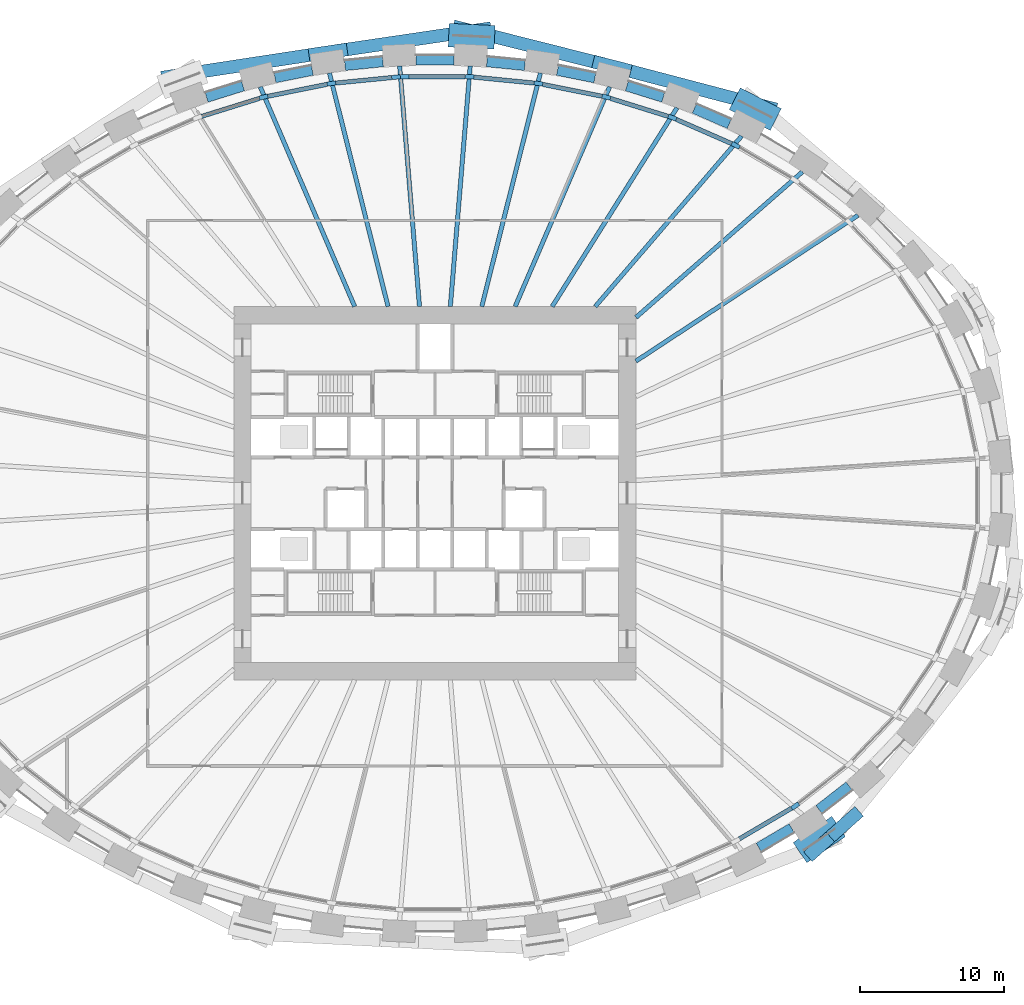
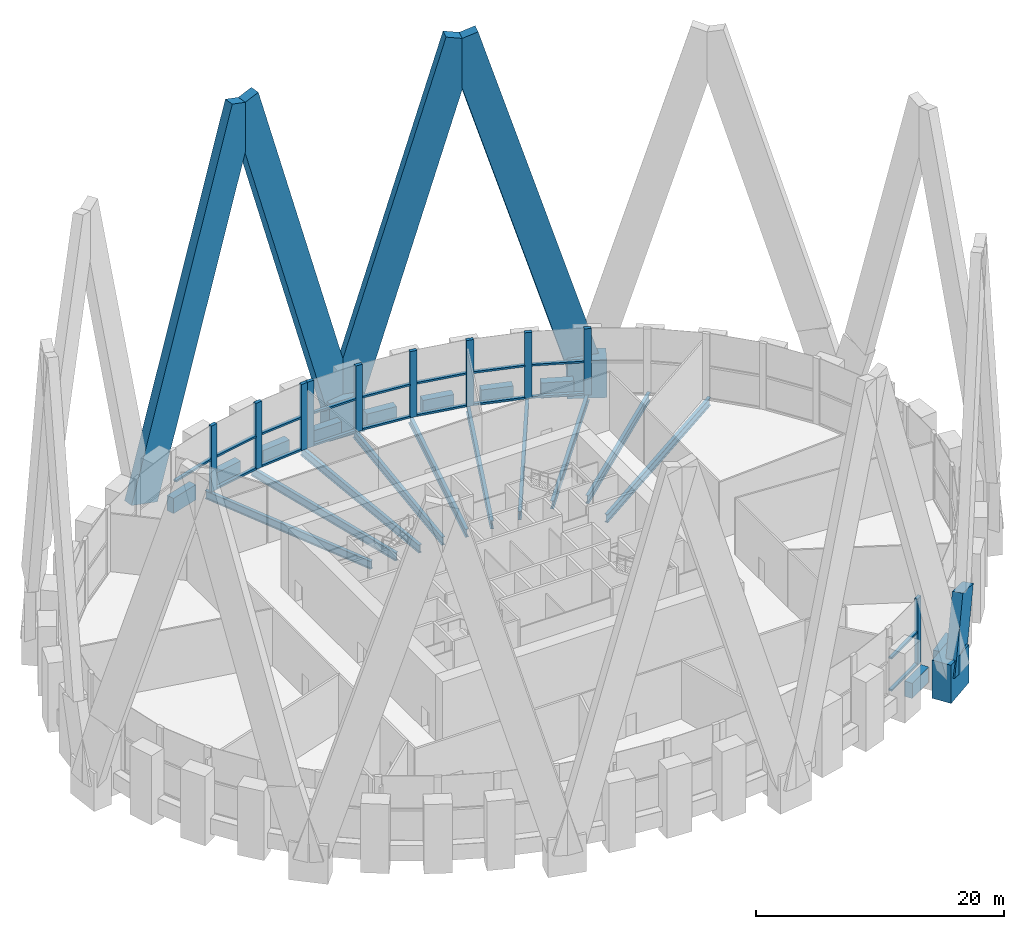
# One storey, part 4 of 17: 35 members, 20 beams, 3 elements without a shape of their own.
"""IFC4 building model written with IfcOpenShell, lengths in metres."""

from ifc_helpers import new_model, si_unit, direction, frame, origin, origin_2d, place, context, subcontext, project, spatial, rectangle, i_section, extrude, source, transform, mapped, material, material_profile, profile_set, type_object, element, aggregate, save


model = new_model("IFC4")

# Units and contexts
model_context = context("Model", 3, precision=1e-05, world=origin(), true_north=direction((0.0, 1.0)))
body_context = subcontext(model_context, "Body", "Model", "MODEL_VIEW")
ifc_project = project(units=[si_unit("LENGTHUNIT", "METRE"), si_unit("AREAUNIT", "SQUARE_METRE"), si_unit("VOLUMEUNIT", "CUBIC_METRE"), si_unit("PLANEANGLEUNIT", "RADIAN"), si_unit("MASSUNIT", "GRAM", prefix="KILO")], contexts=[model_context])

# Site, building, storey
site_placement = place(None, origin())
site = spatial("IfcSite", under=ifc_project, at=site_placement, CompositionType="ELEMENT")
building_placement = place(site_placement, origin())
building = spatial("IfcBuilding", under=site, at=building_placement, Name="Embergate Tower", CompositionType="ELEMENT")
storey_placement = place(building_placement, frame((0.0, 0.0, 125.0)))
storey = spatial("IfcBuildingStorey", under=building, at=storey_placement, Name="L27", CompositionType="ELEMENT", Elevation=125.0)

# Beams
ifc_material_1 = material(Name="Concrete C70", Category="concrete")
ifc_material_profile_1 = material_profile(ifc_material_1, rectangle(XDim=0.699951171875, YDim=1.5, at=origin_2d()), Name="RC 700x1500")
ifc_profile_set_1 = profile_set([ifc_material_profile_1], Name="Concrete C70")
beam_type_1 = type_object("IfcBeamType", Name="Spandrel beam RC 700x1500 C70", PredefinedType="BEAM", material=ifc_profile_set_1)
shared_shape_1 = source(origin(), body_context, "Body", "SweptSolid", [
    extrude(rectangle(XDim=0.699951171875, YDim=1.5, at=origin_2d()), origin(), (0.0, 0.0, 1.0), 2.666015625),
])
beam_1_placement = place(storey_placement, frame((26.741943359375, -22.028076171875, 0.0), z_axis=(0.788088232686, 0.615562293762, 0.0), x_axis=(-0.615562293762, 0.788088232686, 0.0)))
element("IfcBeam", 1, at=beam_1_placement, inside=storey, type_object=beam_type_1, Name="SPN-L27-38", PredefinedType="BEAM", context=body_context, shape_type="MappedRepresentation", body=[
    mapped(shared_shape_1, transform((0.0, 0.0, 0.0))),
])
shared_shape_2 = source(origin(), body_context, "Body", "SweptSolid", [
    extrude(rectangle(XDim=0.699951171875, YDim=1.5, at=origin_2d()), origin(), (0.0, 0.0, 1.0), 2.661376953125),
])
beam_2_placement = place(storey_placement, frame((22.5458984375, -24.669921875, 0.0), z_axis=(0.862040317261, 0.506839709787, 0.0), x_axis=(-0.506839709787, 0.862040317261, 0.0)))
element("IfcBeam", 2, at=beam_2_placement, inside=storey, type_object=beam_type_1, Name="SPN-L27-37", PredefinedType="BEAM", context=body_context, shape_type="MappedRepresentation", body=[
    mapped(shared_shape_2, transform((0.0, 0.0, 0.0))),
])
shared_shape_3 = source(origin(), body_context, "Body", "SweptSolid", [
    extrude(rectangle(XDim=0.699951171875, YDim=1.5, at=origin_2d()), origin(), (0.0, 0.0, 1.0), 2.658203125),
])
beam_3_placement = place(storey_placement, frame((20.4970703125, 25.716064453125, 0.0), z_axis=(-0.916405886448, 0.400250235833, 0.0), x_axis=(-0.400250235833, -0.916405886448, 0.0)))
element("IfcBeam", 3, at=beam_3_placement, inside=storey, type_object=beam_type_1, Name="SPN-L27-06", PredefinedType="BEAM", context=body_context, shape_type="MappedRepresentation", body=[
    mapped(shared_shape_3, transform((0.0, 0.0, 0.0))),
])
shared_shape_4 = source(origin(), body_context, "Body", "SweptSolid", [
    extrude(rectangle(XDim=0.699951171875, YDim=1.5, at=origin_2d()), origin(), (0.0, 0.0, 1.0), 2.654296875),
])
for number, where, z_axis, x_axis, name in (
    (4, (15.89892578125, 27.56494140625, 0.0), (-0.954674539356, 0.297651682181, 0.0), (-0.297651682181, -0.954674539356, 0.0), "SPN-L27-07"),
    (5, (-13.364990234375, 28.35498046875, 0.0), (-0.954674539356, -0.297651682181, 0.0), (0.297651682181, -0.954674539356, 0.0), "SPN-L27-13"),
):
    element("IfcBeam", number, at=place(storey_placement, frame(where, z_axis=z_axis, x_axis=x_axis)), inside=storey, type_object=beam_type_1, Name=name, PredefinedType="BEAM", context=body_context, shape_type="MappedRepresentation", body=[
        mapped(shared_shape_4, transform((0.0, 0.0, 0.0))),
    ])
shared_shape_5 = source(origin(), body_context, "Body", "SweptSolid", [
    extrude(rectangle(XDim=0.699951171875, YDim=1.5, at=origin_2d()), origin(), (0.0, 0.0, 1.0), 2.65185546875),
])
for number, where, z_axis, x_axis, name in (
    (6, (11.135986328125, 28.923095703125, 0.0), (-0.980438789246, 0.196824237691, 0.0), (-0.196824237691, -0.980438789246, 0.0), "SPN-L27-08"),
    (7, (-8.535888671875, 29.445068359375, 0.0), (-0.980438789246, -0.196824237691, 0.0), (0.196824237691, -0.980438789246, 0.0), "SPN-L27-12"),
):
    element("IfcBeam", number, at=place(storey_placement, frame(where, z_axis=z_axis, x_axis=x_axis)), inside=storey, type_object=beam_type_1, Name=name, PredefinedType="BEAM", context=body_context, shape_type="MappedRepresentation", body=[
        mapped(shared_shape_5, transform((0.0, 0.0, 0.0))),
    ])
shared_shape_6 = source(origin(), body_context, "Body", "SweptSolid", [
    extrude(rectangle(XDim=0.699951171875, YDim=1.5, at=origin_2d()), origin(), (0.0, 0.0, 1.0), 2.651611328125),
])
for number, where, z_axis, x_axis, name in (
    (8, (6.260986328125, 29.783935546875, 0.0), (-0.99521694764, 0.097689442265, 0.0), (-0.097689442265, -0.99521694764, 0.0), "SPN-L27-09"),
    (9, (-3.6220703125, 30.04296875, 0.0), (-0.99521694764, -0.097689442265, 0.0), (0.097689442265, -0.99521694764, 0.0), "SPN-L27-11"),
):
    element("IfcBeam", number, at=place(storey_placement, frame(where, z_axis=z_axis, x_axis=x_axis)), inside=storey, type_object=beam_type_1, Name=name, PredefinedType="BEAM", context=body_context, shape_type="MappedRepresentation", body=[
        mapped(shared_shape_6, transform((0.0, 0.0, 0.0))),
    ])
shared_shape_7 = source(origin(), body_context, "Body", "SweptSolid", [
    extrude(rectangle(XDim=0.699951171875, YDim=1.5, at=origin_2d()), origin(), (0.0, 0.0, 1.0), 2.64990234375),
])
beam_4_placement = place(storey_placement, frame((1.324951171875, 30.156005859375, 0.0), z_axis=(-1.0, 0.0, 0.0), x_axis=(0.0, -1.0, 0.0)))
element("IfcBeam", 10, at=beam_4_placement, inside=storey, type_object=beam_type_1, Name="SPN-L27-10", PredefinedType="BEAM", context=body_context, shape_type="MappedRepresentation", body=[
    mapped(shared_shape_7, transform((0.0, 0.0, 0.0))),
])
ifc_material_2 = material(Name="Steel Q355B", Category="steel")
ifc_material_profile_2 = material_profile(ifc_material_2, i_section(OverallWidth=0.300048828125, OverallDepth=0.800048828125, WebThickness=0.013916015625, FlangeThickness=0.02587890625, FilletRadius=0.028076171875, at=origin_2d()), Name="HN 800x300x14x26")
ifc_profile_set_2 = profile_set([ifc_material_profile_2], Name="Steel Q355 grade B")
beam_type_2 = type_object("IfcBeamType", Name="Radial girder HN 800x300x14x26", PredefinedType="BEAM", material=ifc_profile_set_2)
shared_shape_8 = source(origin(), body_context, "Body", "SweptSolid", [
    extrude(i_section(OverallWidth=0.300048828125, OverallDepth=0.800048828125, WebThickness=0.013916015625, FlangeThickness=0.02587890625, FilletRadius=0.028076171875, at=origin_2d()), origin(), (0.0, 0.0, 1.0), 18.501953125),
])
beam_5_placement = place(storey_placement, frame((29.462890625, 19.35791015625, -0.699951171875), z_axis=(-0.835740602897, -0.549124434596, 0.0), x_axis=(0.549124434596, -0.835740602897, 0.0)))
element("IfcBeam", 11, at=beam_5_placement, inside=storey, type_object=beam_type_2, Name="GIR-L27-04", PredefinedType="BEAM", context=body_context, shape_type="MappedRepresentation", body=[
    mapped(shared_shape_8, transform((0.0, 0.0, 0.0))),
])
shared_shape_9 = source(origin(), body_context, "Body", "SweptSolid", [
    extrude(i_section(OverallWidth=0.300048828125, OverallDepth=0.800048828125, WebThickness=0.013916015625, FlangeThickness=0.02587890625, FilletRadius=0.028076171875, at=origin_2d()), origin(), (0.0, 0.0, 1.0), 15.399169921875),
])
beam_6_placement = place(storey_placement, frame((25.592041015625, 22.3798828125, -0.699951171875), z_axis=(-0.752772102856, -0.658281217385, 0.0), x_axis=(0.658281217385, -0.752772102856, 0.0)))
element("IfcBeam", 12, at=beam_6_placement, inside=storey, type_object=beam_type_2, Name="GIR-L27-05", PredefinedType="BEAM", context=body_context, shape_type="MappedRepresentation", body=[
    mapped(shared_shape_9, transform((0.0, 0.0, 0.0))),
])
shared_shape_10 = source(origin(), body_context, "Body", "SweptSolid", [
    extrude(i_section(OverallWidth=0.300048828125, OverallDepth=0.800048828125, WebThickness=0.013916015625, FlangeThickness=0.02587890625, FilletRadius=0.028076171875, at=origin_2d()), origin(), (0.0, 0.0, 1.0), 15.64599609375),
])
beam_7_placement = place(storey_placement, frame((21.35693359375, 24.8701171875, -0.699951171875), z_axis=(-0.651472185751, -0.758672519071, 0.0), x_axis=(0.758672519071, -0.651472185751, 0.0)))
element("IfcBeam", 13, at=beam_7_placement, inside=storey, type_object=beam_type_2, Name="GIR-L27-06", PredefinedType="BEAM", context=body_context, shape_type="MappedRepresentation", body=[
    mapped(shared_shape_10, transform((0.0, 0.0, 0.0))),
])
shared_shape_11 = source(origin(), body_context, "Body", "SweptSolid", [
    extrude(i_section(OverallWidth=0.300048828125, OverallDepth=0.800048828125, WebThickness=0.013916015625, FlangeThickness=0.02587890625, FilletRadius=0.028076171875, at=origin_2d()), origin(), (0.0, 0.0, 1.0), 16.3408203125),
])
beam_8_placement = place(storey_placement, frame((16.85595703125, 26.837890625, -0.699951171875), z_axis=(-0.531856347721, -0.846834591517, 0.0), x_axis=(0.846834591517, -0.531856347721, 0.0)))
element("IfcBeam", 14, at=beam_8_placement, inside=storey, type_object=beam_type_2, Name="GIR-L27-07", PredefinedType="BEAM", context=body_context, shape_type="MappedRepresentation", body=[
    mapped(shared_shape_11, transform((0.0, 0.0, 0.0))),
])
shared_shape_12 = source(origin(), body_context, "Body", "SweptSolid", [
    extrude(i_section(OverallWidth=0.300048828125, OverallDepth=0.800048828125, WebThickness=0.013916015625, FlangeThickness=0.02587890625, FilletRadius=0.028076171875, at=origin_2d()), origin(), (0.0, 0.0, 1.0), 16.652587890625),
])
for number, where, z_axis, x_axis, name in (
    (15, (12.1640625, 28.299072265625, -0.699951171875), (-0.394904635078, -0.918722117506, 0.0), (0.918722117506, -0.394904635078, 0.0), "GIR-L27-08"),
    (16, (-12.1640625, 28.299072265625, -0.699951171875), (0.394904635078, -0.918722117506, 0.0), (0.918722117506, 0.394904635078, 0.0), "GIR-L27-13"),
):
    element("IfcBeam", number, at=place(storey_placement, frame(where, z_axis=z_axis, x_axis=x_axis)), inside=storey, type_object=beam_type_2, Name=name, PredefinedType="BEAM", context=body_context, shape_type="MappedRepresentation", body=[
        mapped(shared_shape_12, transform((0.0, 0.0, 0.0))),
    ])
shared_shape_13 = source(origin(), body_context, "Body", "SweptSolid", [
    extrude(i_section(OverallWidth=0.300048828125, OverallDepth=0.800048828125, WebThickness=0.013916015625, FlangeThickness=0.02587890625, FilletRadius=0.028076171875, at=origin_2d()), origin(), (0.0, 0.0, 1.0), 16.76953125),
])
for number, where, z_axis, x_axis, name in (
    (17, (7.346923828125, 29.264892578125, -0.699951171875), (-0.243477535857, -0.969906536494, 0.0), (0.969906536494, -0.243477535857, 0.0), "GIR-L27-09"),
    (18, (-7.346923828125, 29.264892578125, -0.699951171875), (0.243477535857, -0.969906536494, 0.0), (0.969906536494, 0.243477535857, 0.0), "GIR-L27-12"),
):
    element("IfcBeam", number, at=place(storey_placement, frame(where, z_axis=z_axis, x_axis=x_axis)), inside=storey, type_object=beam_type_2, Name=name, PredefinedType="BEAM", context=body_context, shape_type="MappedRepresentation", body=[
        mapped(shared_shape_13, transform((0.0, 0.0, 0.0))),
    ])
shared_shape_14 = source(origin(), body_context, "Body", "SweptSolid", [
    extrude(i_section(OverallWidth=0.300048828125, OverallDepth=0.800048828125, WebThickness=0.013916015625, FlangeThickness=0.02587890625, FilletRadius=0.028076171875, at=origin_2d()), origin(), (0.0, 0.0, 1.0), 16.802978515625),
])
for number, where, z_axis, x_axis, name in (
    (19, (2.4560546875, 29.74609375, -0.699951171875), (-0.082251838935, -0.99661157679, 0.0), (0.99661157679, -0.082251838935, 0.0), "GIR-L27-10"),
    (20, (-2.4560546875, 29.74609375, -0.699951171875), (0.082251838935, -0.99661157679, 0.0), (0.99661157679, 0.082251838935, 0.0), "GIR-L27-11"),
):
    element("IfcBeam", number, at=place(storey_placement, frame(where, z_axis=z_axis, x_axis=x_axis)), inside=storey, type_object=beam_type_2, Name=name, PredefinedType="BEAM", context=body_context, shape_type="MappedRepresentation", body=[
        mapped(shared_shape_14, transform((0.0, 0.0, 0.0))),
    ])

# Members
ifc_material_profile_3 = material_profile(ifc_material_1, rectangle(XDim=1.699951171875, YDim=3.199951171875, at=origin_2d()), Name="RC 1700x3200")
ifc_profile_set_3 = profile_set([ifc_material_profile_3], Name="Concrete C70")
member_type_1 = type_object("IfcMemberType", Name="Lattice node block RC 1700x3200", PredefinedType="POST", material=ifc_profile_set_3)
shared_shape_15 = source(origin(), body_context, "Body", "SweptSolid", [
    extrude(rectangle(XDim=1.699951171875, YDim=3.199951171875, at=origin_2d()), origin(), (0.0, 0.0, 1.0), 3.7001953125),
])
member_1_placement = place(storey_placement, frame((22.30810546875, 26.741943359375, -1.85009765625), z_axis=(0.0, 0.0, 1.0), x_axis=(0.452994952881, 0.891513080478, 0.0)))
element("IfcMember", 21, at=member_1_placement, inside=storey, type_object=member_type_1, Name="NOD-L27-06", PredefinedType="POST", context=body_context, shape_type="MappedRepresentation", body=[
    mapped(shared_shape_15, transform((0.0, 0.0, 0.0))),
])
ifc_material_profile_4 = material_profile(ifc_material_1, rectangle(XDim=1.64990234375, YDim=3.199951171875, at=origin_2d()), Name="RC 1650x3200")
ifc_profile_set_4 = profile_set([ifc_material_profile_4], Name="Concrete C70")
member_type_2 = type_object("IfcMemberType", Name="Lattice node block RC 1650x3200", PredefinedType="POST", material=ifc_profile_set_4)
shared_shape_16 = source(origin(), body_context, "Body", "SweptSolid", [
    extrude(rectangle(XDim=1.64990234375, YDim=3.199951171875, at=origin_2d()), origin(), (0.0, 0.0, 1.0), 3.7001953125),
])
member_2_placement = place(storey_placement, frame((2.55810546875, 31.819091796875, -1.85009765625), z_axis=(0.0, 0.0, 1.0), x_axis=(0.048814904854, 0.998807841912, 0.0)))
element("IfcMember", 22, at=member_2_placement, inside=storey, type_object=member_type_2, Name="NOD-L27-10", PredefinedType="POST", context=body_context, shape_type="MappedRepresentation", body=[
    mapped(shared_shape_16, transform((0.0, 0.0, 0.0))),
])
ifc_material_profile_5 = material_profile(ifc_material_1, rectangle(XDim=1.699951171875, YDim=3.25, at=origin_2d()), Name="RC 1700x3250")
ifc_profile_set_5 = profile_set([ifc_material_profile_5], Name="Concrete C70")
member_type_3 = type_object("IfcMemberType", Name="Lattice node block RC 1700x3250", PredefinedType="POST", material=ifc_profile_set_5)
shared_shape_17 = source(origin(), body_context, "Body", "SweptSolid", [
    extrude(rectangle(XDim=1.699951171875, YDim=3.25, at=origin_2d()), origin(), (0.0, 0.0, 1.0), 3.75),
])
member_3_placement = place(storey_placement, frame((26.76806640625, -24.118896484375, -1.875), z_axis=(0.0, 0.0, 1.0), x_axis=(0.560393279442, -0.828226643109, 0.0)))
element("IfcMember", 23, at=member_3_placement, inside=storey, type_object=member_type_3, Name="NOD-L27-38", PredefinedType="POST", context=body_context, shape_type="MappedRepresentation", body=[
    mapped(shared_shape_17, transform((0.0, 0.0, 0.0))),
])
ifc_material_profile_6 = material_profile(ifc_material_1, rectangle(XDim=0.89990234375, YDim=2.800048828125, at=origin_2d()), Name="RC 900x2800")
ifc_profile_set_6 = profile_set([ifc_material_profile_6], Name="Concrete C70")
member_type_4 = type_object("IfcMemberType", Name="Lattice diagonal terracotta-faced RC 900x2800", PredefinedType="BRACE", material=ifc_profile_set_6)
shared_shape_18 = source(origin(), body_context, "Body", "SweptSolid", [
    extrude(rectangle(XDim=0.89990234375, YDim=2.800048828125, at=origin_2d()), origin(), (0.0, 0.0, 1.0), 36.441650390625),
])
member_4_placement = place(storey_placement, frame((22.472900390625, 27.06591796875, 0.0), z_axis=(-0.278358040564, 0.073051483172, 0.957695297086), x_axis=(-0.253841230496, -0.967245899293, 0.0)))
element("IfcMember", 24, at=member_4_placement, inside=storey, type_object=member_type_4, Name="BRC-L27-06-08-S00", PredefinedType="BRACE", context=body_context, shape_type="MappedRepresentation", body=[
    mapped(shared_shape_18, transform((0.0, 0.0, 0.0))),
])
shared_shape_19 = source(origin(), body_context, "Body", "SweptSolid", [
    extrude(rectangle(XDim=0.89990234375, YDim=2.800048828125, at=origin_2d()), origin(), (0.0, 0.0, 1.0), 36.320556640625),
])
member_5_placement = place(storey_placement, frame((2.575927734375, 32.18798828125, 0.0), z_axis=(0.268530797394, -0.067729262673, 0.960887068197), x_axis=(0.244562503329, 0.969633529724, 0.0)))
element("IfcMember", 25, at=member_5_placement, inside=storey, type_object=member_type_4, Name="BRC-L27-10-08-S00", PredefinedType="BRACE", context=body_context, shape_type="MappedRepresentation", body=[
    mapped(shared_shape_19, transform((0.0, 0.0, 0.0))),
])
shared_shape_20 = source(origin(), body_context, "Body", "SweptSolid", [
    extrude(rectangle(XDim=0.89990234375, YDim=2.800048828125, at=origin_2d()), origin(), (0.0, 0.0, 1.0), 36.339111328125),
])
member_6_placement = place(storey_placement, frame((2.575927734375, 32.18798828125, 0.0), z_axis=(-0.275649195349, -0.040726935148, 0.960395146727), x_axis=(0.146162416771, -0.989260606677, 0.0)))
element("IfcMember", 26, at=member_6_placement, inside=storey, type_object=member_type_4, Name="BRC-L27-10-12-S00", PredefinedType="BRACE", context=body_context, shape_type="MappedRepresentation", body=[
    mapped(shared_shape_20, transform((0.0, 0.0, 0.0))),
])
shared_shape_21 = source(origin(), body_context, "Body", "SweptSolid", [
    extrude(rectangle(XDim=0.89990234375, YDim=2.800048828125, at=origin_2d()), origin(), (0.0, 0.0, 1.0), 36.413330078125),
])
member_7_placement = place(storey_placement, frame((-17.7109375, 29.139892578125, 0.0), z_axis=(0.282039590361, 0.043064239264, 0.958435778112), x_axis=(-0.150939283876, 0.988543035271, 0.0)))
element("IfcMember", 27, at=member_7_placement, inside=storey, type_object=member_type_4, Name="BRC-L27-14-12-S00", PredefinedType="BRACE", context=body_context, shape_type="MappedRepresentation", body=[
    mapped(shared_shape_21, transform((0.0, 0.0, 0.0))),
])
shared_shape_22 = source(origin(), body_context, "Body", "SweptSolid", [
    extrude(rectangle(XDim=0.89990234375, YDim=2.800048828125, at=origin_2d()), origin(), (0.0, 0.0, 1.0), 7.30419921875),
])
member_8_placement = place(storey_placement, frame((26.97705078125, -24.427978515625, 0.0), z_axis=(0.213715386558, 0.189482722302, 0.958343378699), x_axis=(-0.663411770358, 0.748254517494, 0.0)))
element("IfcMember", 28, at=member_8_placement, inside=storey, type_object=member_type_4, Name="BRC-L27-38-40-S00", PredefinedType="BRACE", context=body_context, shape_type="MappedRepresentation", body=[
    mapped(shared_shape_22, transform((0.0, 0.0, 0.0))),
])

# Curtain wall, members
ifc_material_3 = material(Name="Aluminium and glass", Category="aluminium")
curtain_wall_type = type_object("IfcCurtainWallType", Name="Sky lobby high glazing", PredefinedType="NOTDEFINED", material=ifc_material_3)
curtain_wall_1_placement = place(storey_placement, origin())
curtain_wall_1 = element("IfcCurtainWall", 29, at=curtain_wall_1_placement, inside=storey, type_object=curtain_wall_type, Name="Sky lobby high glazing run 1", ObjectType="SKY LOBBY HIGH GLAZING", PredefinedType="USERDEFINED")
ifc_material_4 = material(Name="Aluminium, thermally broken", Category="aluminium")
ifc_material_profile_7 = material_profile(ifc_material_4, rectangle(XDim=0.300048828125, YDim=0.60009765625, at=origin_2d()), Name="AL 600x300")
ifc_profile_set_7 = profile_set([ifc_material_profile_7], Name="Aluminium, thermally broken")
member_type_5 = type_object("IfcMemberType", Name="Sky lobby mullion", PredefinedType="MULLION", material=ifc_profile_set_7)
shared_shape_23 = source(origin(), body_context, "Body", "SweptSolid", [
    extrude(rectangle(XDim=0.300048828125, YDim=0.60009765625, at=origin_2d()), origin(), (0.0, 0.0, 1.0), 6.5),
])
member_9_placement = place(storey_placement, frame((20.9423828125, 24.223388671875, 0.0), z_axis=(0.0, 0.0, 1.0), x_axis=(-0.45450516197, -0.8907441034, 0.0)))
member_9 = element("IfcMember", 30, at=member_9_placement, type_object=member_type_5, Name="CW mullion 7", PredefinedType="MULLION", context=body_context, shape_type="MappedRepresentation", body=[
    mapped(shared_shape_23, transform((0.0, 0.0, 0.0))),
])
member_10_placement = place(storey_placement, frame((16.532470703125, 26.151611328125, 0.0), z_axis=(0.0, 0.0, 1.0), x_axis=(-0.349497777064, -0.936937193107, 0.0)))
member_10 = element("IfcMember", 31, at=member_10_placement, type_object=member_type_5, Name="CW mullion 8", PredefinedType="MULLION", context=body_context, shape_type="MappedRepresentation", body=[
    mapped(shared_shape_23, transform((0.0, 0.0, 0.0))),
])
member_11_placement = place(storey_placement, frame((11.93359375, 27.583984375, 0.0), z_axis=(0.0, 0.0, 1.0), x_axis=(-0.247308499144, -0.96893679167, 0.0)))
member_11 = element("IfcMember", 32, at=member_11_placement, type_object=member_type_5, Name="CW mullion 9", PredefinedType="MULLION", context=body_context, shape_type="MappedRepresentation", body=[
    mapped(shared_shape_23, transform((0.0, 0.0, 0.0))),
])
member_12_placement = place(storey_placement, frame((7.208251953125, 28.531494140625, 0.0), z_axis=(0.0, 0.0, 1.0), x_axis=(-0.147408930294, -0.989075632735, 0.0)))
member_12 = element("IfcMember", 33, at=member_12_placement, type_object=member_type_5, Name="CW mullion 10", PredefinedType="MULLION", context=body_context, shape_type="MappedRepresentation", body=[
    mapped(shared_shape_23, transform((0.0, 0.0, 0.0))),
])
member_13_placement = place(storey_placement, frame((2.41064453125, 29.003173828125, 0.0), z_axis=(0.0, 0.0, 1.0), x_axis=(-0.048970053385, -0.998800247232, 0.0)))
member_13 = element("IfcMember", 34, at=member_13_placement, type_object=member_type_5, Name="CW mullion 11", PredefinedType="MULLION", context=body_context, shape_type="MappedRepresentation", body=[
    mapped(shared_shape_23, transform((0.0, 0.0, 0.0))),
])
member_14_placement = place(storey_placement, frame((-2.110595703125, 29.003173828125, 0.0), z_axis=(0.0, 0.0, 1.0), x_axis=(0.0, -1.0, 0.0)))
member_14 = element("IfcMember", 35, at=member_14_placement, type_object=member_type_5, Name="CW mullion 12", PredefinedType="MULLION", context=body_context, shape_type="MappedRepresentation", body=[
    mapped(shared_shape_23, transform((0.0, 0.0, 0.0))),
])

curtain_wall_2_placement = place(storey_placement, origin())
curtain_wall_2 = element("IfcCurtainWall", 36, at=curtain_wall_2_placement, inside=storey, type_object=curtain_wall_type, Name="Sky lobby high glazing run 2", ObjectType="SKY LOBBY HIGH GLAZING", PredefinedType="USERDEFINED")
member_15_placement = place(storey_placement, frame((-2.709228515625, 28.973876953125, 0.0), z_axis=(0.0, 0.0, 1.0), x_axis=(0.09782781373, -0.995203355531, 0.0)))
member_15 = element("IfcMember", 37, at=member_15_placement, type_object=member_type_5, Name="CW mullion 1", PredefinedType="MULLION", context=body_context, shape_type="MappedRepresentation", body=[
    mapped(shared_shape_23, transform((0.0, 0.0, 0.0))),
])
member_16_placement = place(storey_placement, frame((-7.208251953125, 28.531494140625, 0.0), z_axis=(0.0, 0.0, 1.0), x_axis=(0.147408930294, -0.989075632735, 0.0)))
member_16 = element("IfcMember", 38, at=member_16_placement, type_object=member_type_5, Name="CW mullion 2", PredefinedType="MULLION", context=body_context, shape_type="MappedRepresentation", body=[
    mapped(shared_shape_23, transform((0.0, 0.0, 0.0))),
])
member_17_placement = place(storey_placement, frame((-11.93359375, 27.583984375, 0.0), z_axis=(0.0, 0.0, 1.0), x_axis=(0.247308499144, -0.96893679167, 0.0)))
member_17 = element("IfcMember", 39, at=member_17_placement, type_object=member_type_5, Name="CW mullion 3", PredefinedType="MULLION", context=body_context, shape_type="MappedRepresentation", body=[
    mapped(shared_shape_23, transform((0.0, 0.0, 0.0))),
])

curtain_wall_3_placement = place(storey_placement, origin())
curtain_wall_3 = element("IfcCurtainWall", 40, at=curtain_wall_3_placement, inside=storey, type_object=curtain_wall_type, Name="Sky lobby high glazing run 4", ObjectType="SKY LOBBY HIGH GLAZING", PredefinedType="USERDEFINED")
member_18_placement = place(storey_placement, frame((25.087158203125, -21.78662109375, 0.0), z_axis=(0.0, 0.0, 1.0), x_axis=(-0.562208958301, 0.826995215951, 0.0)))
member_18 = element("IfcMember", 41, at=member_18_placement, type_object=member_type_5, Name="CW mullion 6", PredefinedType="MULLION", context=body_context, shape_type="MappedRepresentation", body=[
    mapped(shared_shape_23, transform((0.0, 0.0, 0.0))),
])
ifc_material_profile_8 = material_profile(ifc_material_4, rectangle(XDim=0.300048828125, YDim=0.179931640625, at=origin_2d()), Name="AL 180x300")
ifc_profile_set_8 = profile_set([ifc_material_profile_8], Name="Aluminium, thermally broken")
member_type_6 = type_object("IfcMemberType", Name="Sky lobby transom", PredefinedType="USERDEFINED", material=ifc_profile_set_8)
shared_shape_24 = source(origin(), body_context, "Body", "SweptSolid", [
    extrude(rectangle(XDim=0.300048828125, YDim=0.179931640625, at=origin_2d()), origin(), (0.0, 0.0, 1.0), 4.2080078125),
])
member_19_placement = place(storey_placement, frame((21.200927734375, -24.0712890625, 0.090087890625), z_axis=(0.862075868471, 0.506779238919, 0.0), x_axis=(-0.506779238919, 0.862075868471, 0.0)))
member_19 = element("IfcMember", 42, at=member_19_placement, type_object=member_type_6, Name="CW transom 5.1", ObjectType="TRANSOM", PredefinedType="USERDEFINED", context=body_context, shape_type="MappedRepresentation", body=[
    mapped(shared_shape_24, transform((0.0, 0.0, 0.0))),
])
member_20_placement = place(storey_placement, frame((21.200927734375, -24.0712890625, 3.25), z_axis=(0.862075868471, 0.506779238919, 0.0), x_axis=(-0.506779238919, 0.862075868471, 0.0)))
member_20 = element("IfcMember", 43, at=member_20_placement, type_object=member_type_6, Name="CW transom 5.2", ObjectType="TRANSOM", PredefinedType="USERDEFINED", context=body_context, shape_type="MappedRepresentation", body=[
    mapped(shared_shape_24, transform((0.0, 0.0, 0.0))),
])
aggregate(curtain_wall_3, [member_18, member_19, member_20])

# Member
shared_shape_25 = source(origin(), body_context, "Body", "SweptSolid", [
    extrude(rectangle(XDim=0.300048828125, YDim=0.179931640625, at=origin_2d()), origin(), (0.0, 0.0, 1.0), 4.213134765625),
])
member_21_placement = place(storey_placement, frame((20.66748046875, 24.343505859375, 0.090087890625), z_axis=(-0.916227809224, 0.400657711275, 0.0), x_axis=(-0.400657711275, -0.916227809224, 0.0)))
member_21 = element("IfcMember", 44, at=member_21_placement, type_object=member_type_6, Name="CW transom 7.1", ObjectType="TRANSOM", PredefinedType="USERDEFINED", context=body_context, shape_type="MappedRepresentation", body=[
    mapped(shared_shape_25, transform((0.0, 0.0, 0.0))),
])

member_22_placement = place(storey_placement, frame((20.66748046875, 24.343505859375, 3.25), z_axis=(-0.916227809224, 0.400657711275, 0.0), x_axis=(-0.400657711275, -0.916227809224, 0.0)))
member_22 = element("IfcMember", 45, at=member_22_placement, type_object=member_type_6, Name="CW transom 7.2", ObjectType="TRANSOM", PredefinedType="USERDEFINED", context=body_context, shape_type="MappedRepresentation", body=[
    mapped(shared_shape_25, transform((0.0, 0.0, 0.0))),
])

shared_shape_26 = source(origin(), body_context, "Body", "SweptSolid", [
    extrude(rectangle(XDim=0.300048828125, YDim=0.179931640625, at=origin_2d()), origin(), (0.0, 0.0, 1.0), 4.216796875),
])
member_23_placement = place(storey_placement, frame((16.24609375, 26.240966796875, 0.090087890625), z_axis=(-0.954783391598, 0.297302329504, 0.0), x_axis=(-0.297302329504, -0.954783391598, 0.0)))
member_23 = element("IfcMember", 46, at=member_23_placement, type_object=member_type_6, Name="CW transom 8.1", ObjectType="TRANSOM", PredefinedType="USERDEFINED", context=body_context, shape_type="MappedRepresentation", body=[
    mapped(shared_shape_26, transform((0.0, 0.0, 0.0))),
])

member_24_placement = place(storey_placement, frame((16.24609375, 26.240966796875, 3.25), z_axis=(-0.954783391598, 0.297302329504, 0.0), x_axis=(-0.297302329504, -0.954783391598, 0.0)))
member_24 = element("IfcMember", 47, at=member_24_placement, type_object=member_type_6, Name="CW transom 8.2", ObjectType="TRANSOM", PredefinedType="USERDEFINED", context=body_context, shape_type="MappedRepresentation", body=[
    mapped(shared_shape_26, transform((0.0, 0.0, 0.0))),
])

member_25_placement = place(storey_placement, frame((-12.219970703125, 27.49462890625, 3.25), z_axis=(-0.954783391598, -0.297302329504, 0.0), x_axis=(0.297302329504, -0.954783391598, 0.0)))
member_25 = element("IfcMember", 48, at=member_25_placement, type_object=member_type_6, Name="CW transom 3.2", ObjectType="TRANSOM", PredefinedType="USERDEFINED", context=body_context, shape_type="MappedRepresentation", body=[
    mapped(shared_shape_26, transform((0.0, 0.0, 0.0))),
])

shared_shape_27 = source(origin(), body_context, "Body", "SweptSolid", [
    extrude(rectangle(XDim=0.300048828125, YDim=0.179931640625, at=origin_2d()), origin(), (0.0, 0.0, 1.0), 4.219482421875),
])
member_26_placement = place(storey_placement, frame((11.639404296875, 27.642822265625, 0.090087890625), z_axis=(-0.980469245045, 0.196672467625, 0.0), x_axis=(-0.196672467625, -0.980469245045, 0.0)))
member_26 = element("IfcMember", 49, at=member_26_placement, type_object=member_type_6, Name="CW transom 9.1", ObjectType="TRANSOM", PredefinedType="USERDEFINED", context=body_context, shape_type="MappedRepresentation", body=[
    mapped(shared_shape_27, transform((0.0, 0.0, 0.0))),
])

member_27_placement = place(storey_placement, frame((11.639404296875, 27.642822265625, 3.25), z_axis=(-0.980469245045, 0.196672467625, 0.0), x_axis=(-0.196672467625, -0.980469245045, 0.0)))
member_27 = element("IfcMember", 50, at=member_27_placement, type_object=member_type_6, Name="CW transom 9.2", ObjectType="TRANSOM", PredefinedType="USERDEFINED", context=body_context, shape_type="MappedRepresentation", body=[
    mapped(shared_shape_27, transform((0.0, 0.0, 0.0))),
])

member_28_placement = place(storey_placement, frame((-7.50244140625, 28.47265625, 0.090087890625), z_axis=(-0.980469245045, -0.196672467625, 0.0), x_axis=(0.196672467625, -0.980469245045, 0.0)))
member_28 = element("IfcMember", 51, at=member_28_placement, type_object=member_type_6, Name="CW transom 2.1", ObjectType="TRANSOM", PredefinedType="USERDEFINED", context=body_context, shape_type="MappedRepresentation", body=[
    mapped(shared_shape_27, transform((0.0, 0.0, 0.0))),
])

member_29_placement = place(storey_placement, frame((-7.50244140625, 28.47265625, 3.25), z_axis=(-0.980469245045, -0.196672467625, 0.0), x_axis=(0.196672467625, -0.980469245045, 0.0)))
member_29 = element("IfcMember", 52, at=member_29_placement, type_object=member_type_6, Name="CW transom 2.2", ObjectType="TRANSOM", PredefinedType="USERDEFINED", context=body_context, shape_type="MappedRepresentation", body=[
    mapped(shared_shape_27, transform((0.0, 0.0, 0.0))),
])

shared_shape_28 = source(origin(), body_context, "Body", "SweptSolid", [
    extrude(rectangle(XDim=0.300048828125, YDim=0.179931640625, at=origin_2d()), origin(), (0.0, 0.0, 1.0), 4.220703125),
])
member_30_placement = place(storey_placement, frame((6.90966796875, 28.560791015625, 0.090087890625), z_axis=(-0.995199073523, 0.097871364859, 0.0), x_axis=(-0.097871364859, -0.995199073523, 0.0)))
member_30 = element("IfcMember", 53, at=member_30_placement, type_object=member_type_6, Name="CW transom 10.1", ObjectType="TRANSOM", PredefinedType="USERDEFINED", context=body_context, shape_type="MappedRepresentation", body=[
    mapped(shared_shape_28, transform((0.0, 0.0, 0.0))),
])

member_31_placement = place(storey_placement, frame((6.90966796875, 28.560791015625, 3.25), z_axis=(-0.995199073523, 0.097871364859, 0.0), x_axis=(-0.097871364859, -0.995199073523, 0.0)))
member_31 = element("IfcMember", 54, at=member_31_placement, type_object=member_type_6, Name="CW transom 10.2", ObjectType="TRANSOM", PredefinedType="USERDEFINED", context=body_context, shape_type="MappedRepresentation", body=[
    mapped(shared_shape_28, transform((0.0, 0.0, 0.0))),
])

shared_shape_29 = source(origin(), body_context, "Body", "SweptSolid", [
    extrude(rectangle(XDim=0.300048828125, YDim=0.179931640625, at=origin_2d()), origin(), (0.0, 0.0, 1.0), 3.921142578125),
])
member_32_placement = place(storey_placement, frame((2.110595703125, 29.003173828125, 0.090087890625), z_axis=(-1.0, 0.0, 0.0), x_axis=(0.0, -1.0, 0.0)))
member_32 = element("IfcMember", 55, at=member_32_placement, type_object=member_type_6, Name="CW transom 11.1", ObjectType="TRANSOM", PredefinedType="USERDEFINED", context=body_context, shape_type="MappedRepresentation", body=[
    mapped(shared_shape_29, transform((0.0, 0.0, 0.0))),
])

member_33_placement = place(storey_placement, frame((2.110595703125, 29.003173828125, 3.25), z_axis=(-1.0, 0.0, 0.0), x_axis=(0.0, -1.0, 0.0)))
member_33 = element("IfcMember", 56, at=member_33_placement, type_object=member_type_6, Name="CW transom 11.2", ObjectType="TRANSOM", PredefinedType="USERDEFINED", context=body_context, shape_type="MappedRepresentation", body=[
    mapped(shared_shape_29, transform((0.0, 0.0, 0.0))),
])

aggregate(curtain_wall_1, [member_9, member_10, member_11, member_12, member_13, member_14, member_21, member_22, member_23, member_24, member_26, member_27, member_30, member_31, member_32, member_33])

shared_shape_30 = source(origin(), body_context, "Body", "SweptSolid", [
    extrude(rectangle(XDim=0.300048828125, YDim=0.179931640625, at=origin_2d()), origin(), (0.0, 0.0, 1.0), 3.920654296875),
])
member_34_placement = place(storey_placement, frame((-3.0078125, 28.944580078125, 0.090087890625), z_axis=(-0.995197410875, -0.097888269922, 0.0), x_axis=(0.097888269922, -0.995197410875, 0.0)))
member_34 = element("IfcMember", 57, at=member_34_placement, type_object=member_type_6, Name="CW transom 1.1", ObjectType="TRANSOM", PredefinedType="USERDEFINED", context=body_context, shape_type="MappedRepresentation", body=[
    mapped(shared_shape_30, transform((0.0, 0.0, 0.0))),
])

member_35_placement = place(storey_placement, frame((-3.0078125, 28.944580078125, 3.25), z_axis=(-0.995197410875, -0.097888269922, 0.0), x_axis=(0.097888269922, -0.995197410875, 0.0)))
member_35 = element("IfcMember", 58, at=member_35_placement, type_object=member_type_6, Name="CW transom 1.2", ObjectType="TRANSOM", PredefinedType="USERDEFINED", context=body_context, shape_type="MappedRepresentation", body=[
    mapped(shared_shape_30, transform((0.0, 0.0, 0.0))),
])

aggregate(curtain_wall_2, [member_15, member_16, member_17, member_34, member_35, member_28, member_29, member_25])

save(model, "model.ifc")
